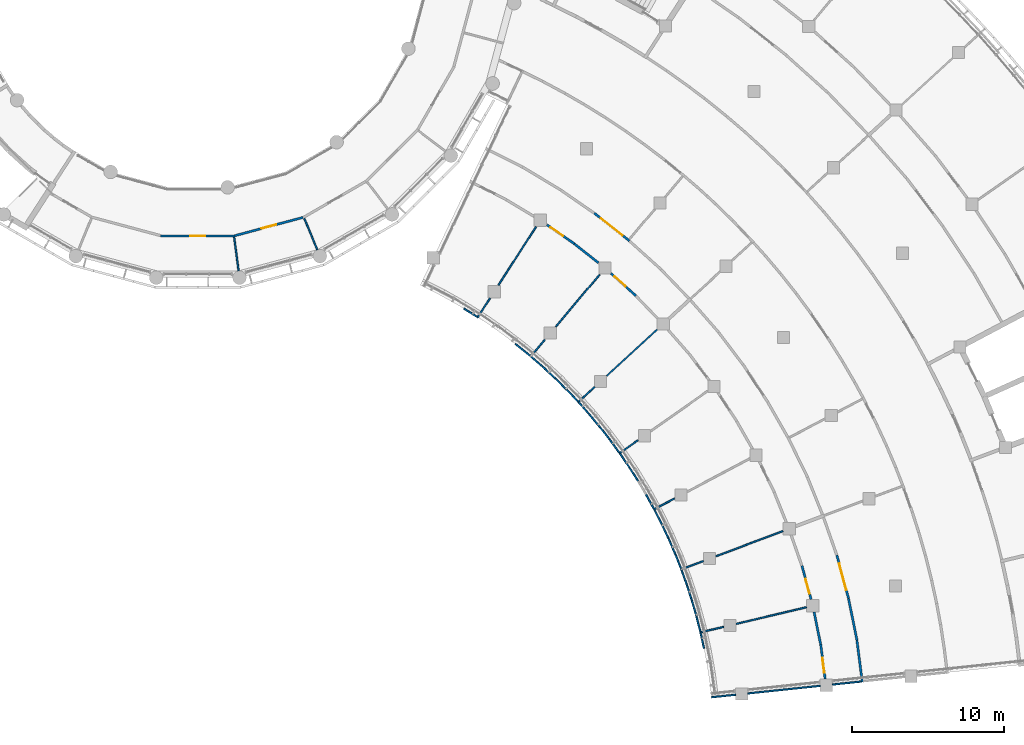
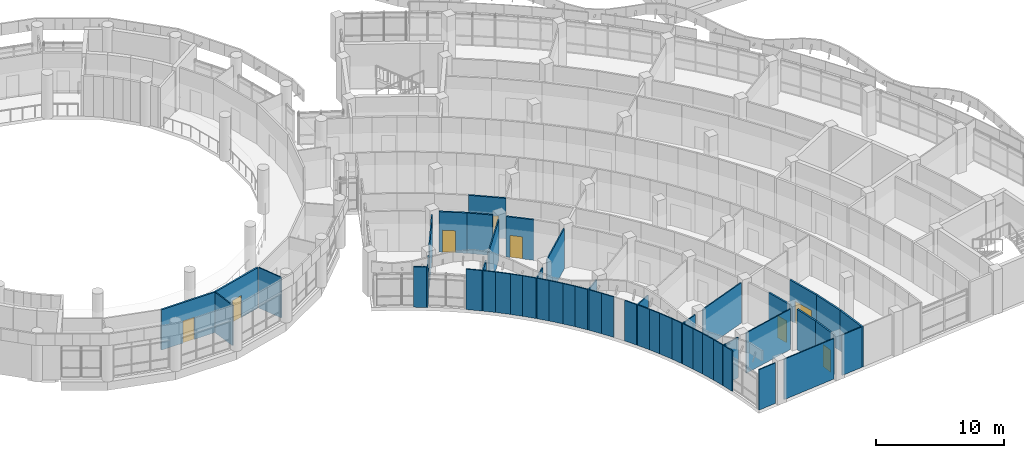
# One storey, part 47 of 109: 51 walls, 8 doors, 8 openings.
"""IFC4 building model written with IfcOpenShell, lengths in metres."""

from ifc_helpers import new_model, si_unit, direction, frame, frame_2d, origin, place, context, subcontext, project, spatial, rectangle, extrude, material, layer, layer_set, type_object, element, fill, save


model = new_model("IFC4")

# Units and contexts
model_context = context("Model", 3, precision=1e-05, world=origin(), true_north=direction((0.0, 1.0)))
body_context = subcontext(model_context, "Body", "Model", "MODEL_VIEW")
ifc_project = project(units=[si_unit("LENGTHUNIT", "METRE"), si_unit("AREAUNIT", "SQUARE_METRE"), si_unit("VOLUMEUNIT", "CUBIC_METRE"), si_unit("PLANEANGLEUNIT", "RADIAN"), si_unit("MASSUNIT", "GRAM", prefix="KILO")], contexts=[model_context])

# Site, building, storey
site_placement = place(None, origin())
site = spatial("IfcSite", under=ifc_project, at=site_placement, CompositionType="ELEMENT")
building_placement = place(site_placement, origin())
building = spatial("IfcBuilding", under=site, at=building_placement, Name="Bougainvillea Quay General Hospital", CompositionType="ELEMENT")
storey_placement = place(building_placement, frame((0.0, 0.0, 12.60009765625)))
storey = spatial("IfcBuildingStorey", under=building, at=storey_placement, Name="L02", CompositionType="ELEMENT", Elevation=12.60009765625)

# Walls
ifc_material_1 = material(Name="Gypsum board partition on steel studs", Category="steel")
ifc_layer_1 = layer(ifc_material_1, 0.10009765625)
ifc_layer_set_1 = layer_set([ifc_layer_1], Name="Gypsum board partition on steel studs")
wall_type_1 = type_object("IfcWallType", Name="Partition 100 Gypsum board partition EI 30", PredefinedType="PARTITIONING", material=ifc_layer_set_1)
wall_1_placement = place(storey_placement, frame((131.078857421875, 47.959716796875, 0.0), z_axis=(0.0, 0.0, 1.0), x_axis=(0.644403525256, 0.764685619479, 0.0)))
element("IfcWall", 1, at=wall_1_placement, inside=storey, type_object=wall_type_1, Name="Partition 100 mm EI 30", PredefinedType="PARTITIONING", context=body_context, shape_type="SweptSolid", body=[
    extrude(rectangle(XDim=1.48779296875, YDim=0.10009765625, at=frame_2d((0.743896484375, 0.0))), origin(), (0.0, 0.0, 1.0), 3.849853515625),
])
wall_2_placement = place(storey_placement, frame((132.762451171875, 49.957763671875, 0.0), z_axis=(0.0, 0.0, 1.0), x_axis=(0.644429680937, 0.76466357722, 0.0)))
element("IfcWall", 2, at=wall_2_placement, inside=storey, type_object=wall_type_1, Name="Partition 100 mm EI 30", PredefinedType="PARTITIONING", context=body_context, shape_type="SweptSolid", body=[
    extrude(rectangle(XDim=4.475341796875, YDim=0.10009765625, at=frame_2d((2.23779296875, 0.0))), origin(), (0.0, 0.0, 1.0), 3.849853515625),
])
wall_3_placement = place(storey_placement, frame((127.596923828125, 50.532958984375, 0.0), z_axis=(0.0, 0.0, 1.0), x_axis=(0.541741092646, 0.840545411348, 0.0)))
element("IfcWall", 3, at=wall_3_placement, inside=storey, type_object=wall_type_1, Name="Partition 100 mm EI 30", PredefinedType="PARTITIONING", context=body_context, shape_type="SweptSolid", body=[
    extrude(rectangle(XDim=1.542724609375, YDim=0.10009765625, at=frame_2d((0.771484375, 0.0))), origin(), (0.0, 0.0, 1.0), 3.849853515625),
])
wall_4_placement = place(storey_placement, frame((128.982666015625, 52.6826171875, 0.0), z_axis=(0.0, 0.0, 1.0), x_axis=(0.541806664818, 0.840503145716, 0.0)))
element("IfcWall", 4, at=wall_4_placement, inside=storey, type_object=wall_type_1, Name="Partition 100 mm EI 30", PredefinedType="PARTITIONING", context=body_context, shape_type="SweptSolid", body=[
    extrude(rectangle(XDim=4.58544921875, YDim=0.10009765625, at=frame_2d((2.292724609375, 0.0))), origin(), (0.0, 0.0, 1.0), 3.849853515625),
])
wall_5_placement = place(storey_placement, frame((142.2373046875, 29.819580078125, 0.0), z_axis=(0.0, 0.0, 1.0), x_axis=(0.973152848226, 0.230159800984, 0.0)))
element("IfcWall", 5, at=wall_5_placement, inside=storey, type_object=wall_type_1, Name="Partition 100 mm EI 30", PredefinedType="PARTITIONING", context=body_context, shape_type="SweptSolid", body=[
    extrude(rectangle(XDim=1.627197265625, YDim=0.10009765625, at=frame_2d((0.8134765625, 0.0))), origin(), (0.0, 0.0, 1.0), 3.849853515625),
])
wall_6_placement = place(storey_placement, frame((144.643310546875, 30.388916015625, 0.0), z_axis=(0.0, 0.0, 1.0), x_axis=(0.973139038387, 0.230218183398, 0.0)))
element("IfcWall", 6, at=wall_6_placement, inside=storey, type_object=wall_type_1, Name="Partition 100 mm EI 30", PredefinedType="PARTITIONING", context=body_context, shape_type="SweptSolid", body=[
    extrude(rectangle(XDim=4.755126953125, YDim=0.10009765625, at=frame_2d((2.37744140625, 0.0))), origin(), (0.0, 0.0, 1.0), 3.849853515625),
])
wall_7_placement = place(storey_placement, frame((139.19287109375, 37.90771484375, 0.0), z_axis=(0.0, 0.0, 1.0), x_axis=(0.883481589726, 0.468465879884, 0.0)))
element("IfcWall", 7, at=wall_7_placement, inside=storey, type_object=wall_type_1, Name="Partition 100 mm EI 30", PredefinedType="PARTITIONING", context=body_context, shape_type="SweptSolid", body=[
    extrude(rectangle(XDim=1.5712890625, YDim=0.10009765625, at=frame_2d((0.78564453125, 0.0))), origin(), (0.0, 0.0, 1.0), 3.849853515625),
])
wall_8_placement = place(storey_placement, frame((136.92431640625, 41.59521484375, 0.0), z_axis=(0.0, 0.0, 1.0), x_axis=(0.816643847366, 0.577141946629, 0.0)))
element("IfcWall", 8, at=wall_8_placement, inside=storey, type_object=wall_type_1, Name="Partition 100 mm EI 30", PredefinedType="PARTITIONING", context=body_context, shape_type="SweptSolid", body=[
    extrude(rectangle(XDim=1.52490234375, YDim=0.10009765625, at=frame_2d((0.762451171875, 0.0))), origin(), (0.0, 0.0, 1.0), 3.849853515625),
])
wall_9_placement = place(storey_placement, frame((143.012939453125, 25.555908203125, 0.0), z_axis=(0.0, 0.0, 1.0), x_axis=(0.994495375694, 0.104780473964, 0.0)))
element("IfcWall", 9, at=wall_9_placement, inside=storey, type_object=wall_type_1, Name="Partition 100 mm EI 30", PredefinedType="PARTITIONING", context=body_context, shape_type="SweptSolid", body=[
    extrude(rectangle(XDim=1.59375, YDim=0.10009765625, at=frame_2d((0.796875, 0.0))), origin(), (0.0, 0.0, 1.0), 3.849853515625),
])
wall_10_placement = place(storey_placement, frame((145.408203125, 25.80810546875, 0.0), z_axis=(0.0, 0.0, 1.0), x_axis=(0.994509645665, 0.104644945786, 0.0)))
element("IfcWall", 10, at=wall_10_placement, inside=storey, type_object=wall_type_1, Name="Partition 100 mm EI 30", PredefinedType="PARTITIONING", context=body_context, shape_type="SweptSolid", body=[
    extrude(rectangle(XDim=4.78515625, YDim=0.10009765625, at=frame_2d((2.392578125, 0.0))), origin(), (0.0, 0.0, 1.0), 3.849853515625),
])
wall_11_placement = place(storey_placement, frame((140.97314453125, 33.96044921875, 0.0), z_axis=(0.0, 0.0, 1.0), x_axis=(0.935890679388, 0.35229055655, 0.0)))
element("IfcWall", 11, at=wall_11_placement, inside=storey, type_object=wall_type_1, Name="Partition 100 mm EI 30", PredefinedType="PARTITIONING", context=body_context, shape_type="SweptSolid", body=[
    extrude(rectangle(XDim=1.604248046875, YDim=0.10009765625, at=frame_2d((0.80224609375, 0.0))), origin(), (0.0, 0.0, 1.0), 3.849853515625),
])
wall_12_placement = place(storey_placement, frame((143.309326171875, 34.839599609375, 0.0), z_axis=(0.0, 0.0, 1.0), x_axis=(0.935891610639, 0.352288082591, 0.0)))
element("IfcWall", 12, at=wall_12_placement, inside=storey, type_object=wall_type_1, Name="Partition 100 mm EI 30", PredefinedType="PARTITIONING", context=body_context, shape_type="SweptSolid", body=[
    extrude(rectangle(XDim=4.708251953125, YDim=0.10009765625, at=frame_2d((2.35400390625, 0.0))), origin(), (0.0, 0.0, 1.0), 3.849853515625),
])
wall_13_placement = place(storey_placement, frame((134.205078125, 44.964111328125, 0.0), z_axis=(0.0, 0.0, 1.0), x_axis=(0.736497059378, 0.676440745023, 0.0)))
element("IfcWall", 13, at=wall_13_placement, inside=storey, type_object=wall_type_1, Name="Partition 100 mm EI 30", PredefinedType="PARTITIONING", context=body_context, shape_type="SweptSolid", body=[
    extrude(rectangle(XDim=1.51220703125, YDim=0.10009765625, at=frame_2d((0.756103515625, 0.0))), origin(), (0.0, 0.0, 1.0), 3.849853515625),
])
wall_14_placement = place(storey_placement, frame((136.111328125, 46.71484375, 0.0), z_axis=(0.0, 0.0, 1.0), x_axis=(0.736475017651, 0.676464742892, 0.0)))
element("IfcWall", 14, at=wall_14_placement, inside=storey, type_object=wall_type_1, Name="Partition 100 mm EI 30", PredefinedType="PARTITIONING", context=body_context, shape_type="SweptSolid", body=[
    extrude(rectangle(XDim=4.52392578125, YDim=0.10009765625, at=frame_2d((2.261962890625, 0.0))), origin(), (0.0, 0.0, 1.0), 3.849853515625),
])
for number, where, z_axis, x_axis, name in (
    (15, (116.206298828125, 57.084228515625, 0.0), (0.0, 0.0, 1.0), (0.382829249812, -0.923819119465, 0.0), "Partition 100 mm EI 30"),
    (16, (111.589599609375, 55.8466796875, 0.0), (0.0, 0.0, 1.0), (0.13062345865, -0.991432051151, 0.0), "Partition 100 mm EI 30"),
):
    element("IfcWall", number, at=place(storey_placement, frame(where, z_axis=z_axis, x_axis=x_axis)), inside=storey, type_object=wall_type_1, Name=name, PredefinedType="PARTITIONING", context=body_context, shape_type="SweptSolid", body=[
        extrude(rectangle(XDim=2.242919921875, YDim=0.10009765625, at=frame_2d((1.12158203125, 0.0))), origin(), (0.0, 0.0, 1.0), 3.849853515625),
    ])
wall_15_placement = place(storey_placement, frame((150.97705078125, 26.39404296875, 0.0), z_axis=(0.0, 0.0, 1.0), x_axis=(0.99450757419, 0.104664630505, 0.0)))
element("IfcWall", 17, at=wall_15_placement, inside=storey, type_object=wall_type_1, Name="Partition 100 mm EI 30", PredefinedType="PARTITIONING", context=body_context, shape_type="SweptSolid", body=[
    extrude(rectangle(XDim=1.891845703125, YDim=0.10009765625, at=frame_2d((0.94580078125, 0.0))), origin(), (0.0, 0.0, 1.0), 3.849853515625),
])
wall_16_placement = place(storey_placement, frame((130.090087890625, 48.825927734375, 0.0), z_axis=(0.0, 0.0, 1.0), x_axis=(0.776627985422, -0.629959500492, 0.0)))
element("IfcWall", 18, at=wall_16_placement, inside=storey, type_object=wall_type_1, Name="Partition 100 mm EI 30", PredefinedType="PARTITIONING", context=body_context, shape_type="SweptSolid", body=[
    extrude(rectangle(XDim=1.263427734375, YDim=0.10009765625, at=frame_2d((0.6318359375, 0.0))), origin(), (0.0, 0.0, 1.0), 3.849853515625),
])
wall_17_placement = place(storey_placement, frame((139.260009765625, 37.8857421875, 0.0), z_axis=(0.0, 0.0, 1.0), x_axis=(0.454222477174, -0.890888287738, 0.0)))
element("IfcWall", 19, at=wall_17_placement, inside=storey, type_object=wall_type_1, Name="Partition 100 mm EI 30", PredefinedType="PARTITIONING", context=body_context, shape_type="SweptSolid", body=[
    extrude(rectangle(XDim=1.084716796875, YDim=0.10009765625, at=frame_2d((0.54248046875, 0.0))), origin(), (0.0, 0.0, 1.0), 3.849853515625),
])
wall_18_placement = place(storey_placement, frame((141.705078125, 31.97314453125, 0.0), z_axis=(0.0, 0.0, 1.0), x_axis=(0.276407300439, -0.961040584088, 0.0)))
element("IfcWall", 20, at=wall_18_placement, inside=storey, type_object=wall_type_1, Name="Partition 100 mm EI 30", PredefinedType="PARTITIONING", context=body_context, shape_type="SweptSolid", body=[
    extrude(rectangle(XDim=1.185302734375, YDim=0.10009765625, at=frame_2d((0.5927734375, 0.0))), origin(), (0.0, 0.0, 1.0), 3.849853515625),
])
wall_19_placement = place(storey_placement, frame((126.702880859375, 51.14892578125, 0.0), z_axis=(0.0, 0.0, 1.0), x_axis=(0.848687049906, -0.528895350067, 0.0)))
element("IfcWall", 21, at=wall_19_placement, inside=storey, type_object=wall_type_1, Name="Partition 100 mm EI 30", PredefinedType="PARTITIONING", context=body_context, shape_type="SweptSolid", body=[
    extrude(rectangle(XDim=1.034423828125, YDim=0.10009765625, at=frame_2d((0.51708984375, 0.0))), origin(), (0.0, 0.0, 1.0), 3.849853515625),
])
for number, where, z_axis, x_axis, name in (
    (22, (133.460693359375, 45.8212890625, 0.0), (0.0, 0.0, 1.0), (0.688400207225, -0.725331065578, 0.0), "Partition 100 mm EI 30"),
    (23, (136.99365234375, 41.58203125, 0.0), (0.0, 0.0, 1.0), (0.564070256428, -0.825726798532, 0.0), "Partition 100 mm EI 30"),
):
    element("IfcWall", number, at=place(storey_placement, frame(where, z_axis=z_axis, x_axis=x_axis)), inside=storey, type_object=wall_type_1, Name=name, PredefinedType="PARTITIONING", context=body_context, shape_type="SweptSolid", body=[
        extrude(rectangle(XDim=1.084228515625, YDim=0.10009765625, at=frame_2d((0.5419921875, 0.0))), origin(), (0.0, 0.0, 1.0), 3.849853515625),
    ])
wall_20_placement = place(storey_placement, frame((134.930908203125, 44.226318359375, 0.0), z_axis=(0.0, 0.0, 1.0), x_axis=(0.639778970268, -0.768558956231, 0.0)))
element("IfcWall", 24, at=wall_20_placement, inside=storey, type_object=wall_type_1, Name="Partition 100 mm EI 30", PredefinedType="PARTITIONING", context=body_context, shape_type="SweptSolid", body=[
    extrude(rectangle(XDim=1.184814453125, YDim=0.10009765625, at=frame_2d((0.59228515625, 0.0))), origin(), (0.0, 0.0, 1.0), 3.849853515625),
])
wall_21_placement = place(storey_placement, frame((137.60302734375, 40.68701171875, 0.0), z_axis=(0.0, 0.0, 1.0), x_axis=(0.53747146193, -0.843281938388, 0.0)))
element("IfcWall", 25, at=wall_21_placement, inside=storey, type_object=wall_type_1, Name="Partition 100 mm EI 30", PredefinedType="PARTITIONING", context=body_context, shape_type="SweptSolid", body=[
    extrude(rectangle(XDim=1.08642578125, YDim=0.10009765625, at=frame_2d((0.543212890625, 0.0))), origin(), (0.0, 0.0, 1.0), 3.849853515625),
])
for number, where, z_axis, x_axis, name in (
    (26, (138.68896484375, 38.9248046875, 0.0), (0.0, 0.0, 1.0), (0.482886802116, -0.875682782942, 0.0), "Partition 100 mm EI 30"),
    (27, (136.29541015625, 42.540283203125, 0.0), (0.0, 0.0, 1.0), (0.590044821415, -0.807370490371, 0.0), "Partition 100 mm EI 30"),
):
    element("IfcWall", number, at=place(storey_placement, frame(where, z_axis=z_axis, x_axis=x_axis)), inside=storey, type_object=wall_type_1, Name=name, PredefinedType="PARTITIONING", context=body_context, shape_type="SweptSolid", body=[
        extrude(rectangle(XDim=1.083984375, YDim=0.10009765625, at=frame_2d((0.5419921875, 0.0))), origin(), (0.0, 0.0, 1.0), 3.849853515625),
    ])
for number, where, z_axis, x_axis, name in (
    (28, (140.172119140625, 36.02880859375, 0.0), (0.0, 0.0, 1.0), (0.396479436871, -0.918043602526, 0.0), "Partition 100 mm EI 30"),
    (29, (131.892333984375, 47.320068359375, 0.0), (0.0, 0.0, 1.0), (0.732793491626, -0.680451099367, 0.0), "Partition 100 mm EI 30"),
):
    element("IfcWall", number, at=place(storey_placement, frame(where, z_axis=z_axis, x_axis=x_axis)), inside=storey, type_object=wall_type_1, Name=name, PredefinedType="PARTITIONING", context=body_context, shape_type="SweptSolid", body=[
        extrude(rectangle(XDim=1.184814453125, YDim=0.10009765625, at=frame_2d((0.59228515625, 0.0))), origin(), (0.0, 0.0, 1.0), 3.849853515625),
    ])
wall_22_placement = place(storey_placement, frame((132.75830078125, 46.513916015625, 0.0), z_axis=(0.0, 0.0, 1.0), x_axis=(0.710804317615, -0.703389808043, 0.0)))
element("IfcWall", 30, at=wall_22_placement, inside=storey, type_object=wall_type_1, Name="Partition 100 mm EI 30", PredefinedType="PARTITIONING", context=body_context, shape_type="SweptSolid", body=[
    extrude(rectangle(XDim=0.98779296875, YDim=0.10009765625, at=frame_2d((0.493896484375, 0.0))), origin(), (0.0, 0.0, 1.0), 3.849853515625),
])
wall_23_placement = place(storey_placement, frame((140.639892578125, 34.94189453125, 0.0), z_axis=(0.0, 0.0, 1.0), x_axis=(0.366901413892, -0.93025983063, 0.0)))
element("IfcWall", 31, at=wall_23_placement, inside=storey, type_object=wall_type_1, Name="Partition 100 mm EI 30", PredefinedType="PARTITIONING", context=body_context, shape_type="SweptSolid", body=[
    extrude(rectangle(XDim=0.985595703125, YDim=0.10009765625, at=frame_2d((0.49267578125, 0.0))), origin(), (0.0, 0.0, 1.0), 3.849853515625),
])
wall_24_placement = place(storey_placement, frame((141.037109375, 33.93017578125, 0.0), z_axis=(0.0, 0.0, 1.0), x_axis=(0.337434932816, -0.941348854631, 0.0)))
element("IfcWall", 32, at=wall_24_placement, inside=storey, type_object=wall_type_1, Name="Partition 100 mm EI 30", PredefinedType="PARTITIONING", context=body_context, shape_type="SweptSolid", body=[
    extrude(rectangle(XDim=1.083740234375, YDim=0.10009765625, at=frame_2d((0.5419921875, 0.0))), origin(), (0.0, 0.0, 1.0), 3.849853515625),
])
wall_25_placement = place(storey_placement, frame((131.1494140625, 47.964599609375, 0.0), z_axis=(0.0, 0.0, 1.0), x_axis=(0.75424788942, -0.656589766373, 0.0)))
element("IfcWall", 33, at=wall_25_placement, inside=storey, type_object=wall_type_1, Name="Partition 100 mm EI 30", PredefinedType="PARTITIONING", context=body_context, shape_type="SweptSolid", body=[
    extrude(rectangle(XDim=0.98486328125, YDim=0.10009765625, at=frame_2d((0.492431640625, 0.0))), origin(), (0.0, 0.0, 1.0), 3.849853515625),
])
wall_26_placement = place(storey_placement, frame((134.27587890625, 44.960205078125, 0.0), z_axis=(0.0, 0.0, 1.0), x_axis=(0.66477897218, -0.747040104779, 0.0)))
element("IfcWall", 34, at=wall_26_placement, inside=storey, type_object=wall_type_1, Name="Partition 100 mm EI 30", PredefinedType="PARTITIONING", context=body_context, shape_type="SweptSolid", body=[
    extrude(rectangle(XDim=0.9853515625, YDim=0.10009765625, at=frame_2d((0.49267578125, 0.0))), origin(), (0.0, 0.0, 1.0), 3.849853515625),
])
wall_27_placement = place(storey_placement, frame((141.40087890625, 32.910888671875, 0.0), z_axis=(0.0, 0.0, 1.0), x_axis=(0.307089469025, -0.951680649175, 0.0)))
element("IfcWall", 35, at=wall_27_placement, inside=storey, type_object=wall_type_1, Name="Partition 100 mm EI 30", PredefinedType="PARTITIONING", context=body_context, shape_type="SweptSolid", body=[
    extrude(rectangle(XDim=0.9873046875, YDim=0.10009765625, at=frame_2d((0.49365234375, 0.0))), origin(), (0.0, 0.0, 1.0), 3.849853515625),
])
wall_28_placement = place(storey_placement, frame((142.031005859375, 30.8349609375, 0.0), z_axis=(0.0, 0.0, 1.0), x_axis=(0.246091023995, -0.969246721898, 0.0)))
element("IfcWall", 36, at=wall_28_placement, inside=storey, type_object=wall_type_1, Name="Partition 100 mm EI 30", PredefinedType="PARTITIONING", context=body_context, shape_type="SweptSolid", body=[
    extrude(rectangle(XDim=0.985107421875, YDim=0.10009765625, at=frame_2d((0.49267578125, 0.0))), origin(), (0.0, 0.0, 1.0), 3.849853515625),
])
wall_29_placement = place(storey_placement, frame((139.750732421875, 36.920166015625, 0.0), z_axis=(0.0, 0.0, 1.0), x_axis=(0.426023266387, -0.904712206448, 0.0)))
element("IfcWall", 37, at=wall_29_placement, inside=storey, type_object=wall_type_1, Name="Partition 100 mm EI 30", PredefinedType="PARTITIONING", context=body_context, shape_type="SweptSolid", body=[
    extrude(rectangle(XDim=0.9873046875, YDim=0.10009765625, at=frame_2d((0.49365234375, 0.0))), origin(), (0.0, 0.0, 1.0), 3.849853515625),
])
wall_30_placement = place(storey_placement, frame((142.296875, 29.781494140625, 0.0), z_axis=(0.0, 0.0, 1.0), x_axis=(0.214929366895, -0.976629595725, 0.0)))
element("IfcWall", 38, at=wall_30_placement, inside=storey, type_object=wall_type_1, Name="Partition 100 mm EI 30", PredefinedType="PARTITIONING", context=body_context, shape_type="SweptSolid", body=[
    extrude(rectangle(XDim=1.03369140625, YDim=0.10009765625, at=frame_2d((0.516845703125, 0.0))), origin(), (0.0, 0.0, 1.0), 3.849853515625),
])
wall_31_placement = place(storey_placement, frame((135.68701171875, 43.31591796875, 0.0), z_axis=(0.0, 0.0, 1.0), x_axis=(0.615941497949, -0.787791895811, 0.0)))
element("IfcWall", 39, at=wall_31_placement, inside=storey, type_object=wall_type_1, Name="Partition 100 mm EI 30", PredefinedType="PARTITIONING", context=body_context, shape_type="SweptSolid", body=[
    extrude(rectangle(XDim=0.9873046875, YDim=0.10009765625, at=frame_2d((0.49365234375, 0.0))), origin(), (0.0, 0.0, 1.0), 3.849853515625),
])

# Wall, opening, door
ifc_material_2 = material(Name="Gypsum board partition on steel studs, insulated", Category="steel")
ifc_layer_2 = layer(ifc_material_2, 0.14990234375)
ifc_layer_set_2 = layer_set([ifc_layer_2], Name="Gypsum board partition on steel studs, insulated")
wall_type_2 = type_object("IfcWallType", Name="Partition 150 Gypsum board partition EI 30", PredefinedType="PARTITIONING", material=ifc_layer_set_2)
wall_32_placement = place(storey_placement, frame((106.7451171875, 55.927978515625, 0.0), z_axis=(0.0, 0.0, 1.0), x_axis=(1.0, 0.0, 0.0)))
wall_32 = element("IfcWall", 40, at=wall_32_placement, inside=storey, type_object=wall_type_2, Name="Partition 150 mm EI 30", PredefinedType="PARTITIONING", context=body_context, shape_type="SweptSolid", body=[
    extrude(rectangle(XDim=4.908935546875, YDim=0.14990234375, at=frame_2d((2.45458984375, 0.0))), origin(), (0.0, 0.0, 1.0), 3.849853515625),
])
opening_1_placement = place(wall_32_placement, frame((1.95458984375, 0.0, 0.0)))
opening_1 = element("IfcOpeningElement", 41, at=opening_1_placement, cuts=wall_32, Name="Opening L02.245", PredefinedType="OPENING", context=body_context, shape_type="SweptSolid", body=[
    extrude(rectangle(XDim=1.0, YDim=2.10009765625, at=frame_2d((0.5, 1.050048828125))), frame((0.0, 0.0849609375, 0.0), z_axis=(0.0, -1.0, 0.0), x_axis=(1.0, 0.0, 0.0)), (0.0, 0.0, 1.0), 0.169921875),
])
ifc_material_3 = material(Name="Solid-core timber door leaf in steel frame", Category="steel")
door_type_1 = type_object("IfcDoorType", Name="Single leaf door 1000x2100 FD30S", OperationType="NOTDEFINED", PredefinedType="DOOR", material=ifc_material_3)
door_1_placement = place(opening_1_placement, frame((1.0, 0.0, 0.0), z_axis=(0.0, 0.0, 1.0), x_axis=(-1.0, 0.0, 0.0)))
door_1 = element("IfcDoor", 42, at=door_1_placement, inside=storey, type_object=door_type_1, Name="DT15 L02.245", OperationType="SINGLE_SWING_RIGHT", OverallHeight=2.10009765625, OverallWidth=1.0, PredefinedType="DOOR", context=body_context, shape_type="SweptSolid", body=[
    extrude(rectangle(XDim=1.0, YDim=2.10009765625, at=frame_2d((0.5, 1.050048828125))), frame((0.0, 0.02490234375, 0.0), z_axis=(0.0, -1.0, 0.0), x_axis=(1.0, 0.0, 0.0)), (0.0, 0.0, 1.0), 0.050048828125),
])
fill(opening_1, door_1)

wall_33_placement = place(storey_placement, frame((111.635009765625, 55.943115234375, 0.0), z_axis=(0.0, 0.0, 1.0), x_axis=(0.965901562331, 0.258909582454, 0.0)))
wall_33 = element("IfcWall", 43, at=wall_33_placement, inside=storey, type_object=wall_type_2, Name="Partition 150 mm EI 30", PredefinedType="PARTITIONING", context=body_context, shape_type="SweptSolid", body=[
    extrude(rectangle(XDim=4.64208984375, YDim=0.14990234375, at=frame_2d((2.321044921875, 0.0))), origin(), (0.0, 0.0, 1.0), 3.849853515625),
])
opening_2_placement = place(wall_33_placement, frame((1.8212890625, 0.0, 0.0)))
opening_2 = element("IfcOpeningElement", 44, at=opening_2_placement, cuts=wall_33, Name="Opening L02.246", PredefinedType="OPENING", context=body_context, shape_type="SweptSolid", body=[
    extrude(rectangle(XDim=1.0, YDim=2.10009765625, at=frame_2d((0.5, 1.050048828125))), frame((0.0, 0.0849609375, 0.0), z_axis=(0.0, -1.0, 0.0), x_axis=(1.0, 0.0, 0.0)), (0.0, 0.0, 1.0), 0.169921875),
])
door_2_placement = place(opening_2_placement, frame((1.0, 0.0, 0.0), z_axis=(0.0, 0.0, 1.0), x_axis=(-1.0, 0.0, 0.0)))
door_2 = element("IfcDoor", 45, at=door_2_placement, inside=storey, type_object=door_type_1, Name="DT15 L02.246", OperationType="SINGLE_SWING_LEFT", OverallHeight=2.10009765625, OverallWidth=1.0, PredefinedType="DOOR", context=body_context, shape_type="SweptSolid", body=[
    extrude(rectangle(XDim=1.0, YDim=2.10009765625, at=frame_2d((0.5, 1.050048828125))), frame((0.0, 0.02490234375, 0.0), z_axis=(0.0, -1.0, 0.0), x_axis=(1.0, 0.0, 0.0)), (0.0, 0.0, 1.0), 0.050048828125),
])
fill(opening_2, door_2)

wall_34_placement = place(storey_placement, frame((135.293212890625, 57.430419921875, 0.0), z_axis=(0.0, 0.0, 1.0), x_axis=(0.785039104315, -0.619446208073, 0.0)))
wall_34 = element("IfcWall", 46, at=wall_34_placement, inside=storey, type_object=wall_type_2, Name="Partition 150 mm EI 30", PredefinedType="PARTITIONING", context=body_context, shape_type="SweptSolid", body=[
    extrude(rectangle(XDim=2.95751953125, YDim=0.14990234375, at=frame_2d((1.478759765625, 0.0))), origin(), (0.0, 0.0, 1.0), 3.849853515625),
])
opening_3_placement = place(wall_34_placement, frame((0.57861328125, 0.0, 0.0)))
opening_3 = element("IfcOpeningElement", 47, at=opening_3_placement, cuts=wall_34, Name="Opening L02.184", PredefinedType="OPENING", context=body_context, shape_type="SweptSolid", body=[
    extrude(rectangle(XDim=1.800048828125, YDim=2.10009765625, at=frame_2d((0.89990234375, 1.050048828125))), frame((0.0, 0.0849609375, 0.0), z_axis=(0.0, -1.0, 0.0), x_axis=(1.0, 0.0, 0.0)), (0.0, 0.0, 1.0), 0.169921875),
])
ifc_material_4 = material(Name="Solid-core timber door leaves in steel frame", Category="steel")
door_type_2 = type_object("IfcDoorType", Name="Double leaf door 1800x2100", OperationType="DOUBLE_DOOR_SINGLE_SWING", PredefinedType="DOOR", material=ifc_material_4)
door_3_placement = place(opening_3_placement, frame((1.800048828125, 0.0, 0.0), z_axis=(0.0, 0.0, 1.0), x_axis=(-1.0, 0.0, 0.0)))
door_3 = element("IfcDoor", 48, at=door_3_placement, inside=storey, type_object=door_type_2, Name="DT08 L02.184", OperationType="DOUBLE_DOOR_SINGLE_SWING", OverallHeight=2.10009765625, OverallWidth=1.800048828125, PredefinedType="DOOR", context=body_context, shape_type="SweptSolid", body=[
    extrude(rectangle(XDim=1.800048828125, YDim=2.10009765625, at=frame_2d((0.89990234375, 1.050048828125))), frame((0.0, 0.02490234375, 0.0), z_axis=(0.0, -1.0, 0.0), x_axis=(1.0, 0.0, 0.0)), (0.0, 0.0, 1.0), 0.050048828125),
])
fill(opening_3, door_3)

wall_35_placement = place(storey_placement, frame((151.264404296875, 34.91650390625, 0.0), z_axis=(0.0, 0.0, 1.0), x_axis=(0.261098222271, -0.965312238774, 0.0)))
wall_35 = element("IfcWall", 49, at=wall_35_placement, inside=storey, type_object=wall_type_2, Name="Partition 150 mm EI 30", PredefinedType="PARTITIONING", context=body_context, shape_type="SweptSolid", body=[
    extrude(rectangle(XDim=2.95751953125, YDim=0.14990234375, at=frame_2d((1.478759765625, 0.0))), origin(), (0.0, 0.0, 1.0), 3.849853515625),
])
opening_4_placement = place(wall_35_placement, frame((0.57861328125, 0.0, 0.0)))
opening_4 = element("IfcOpeningElement", 50, at=opening_4_placement, cuts=wall_35, Name="Opening L02.186", PredefinedType="OPENING", context=body_context, shape_type="SweptSolid", body=[
    extrude(rectangle(XDim=1.800048828125, YDim=2.10009765625, at=frame_2d((0.89990234375, 1.050048828125))), frame((0.0, 0.0849609375, 0.0), z_axis=(0.0, -1.0, 0.0), x_axis=(1.0, 0.0, 0.0)), (0.0, 0.0, 1.0), 0.169921875),
])
door_4_placement = place(opening_4_placement, frame((1.800048828125, 0.0, 0.0), z_axis=(0.0, 0.0, 1.0), x_axis=(-1.0, 0.0, 0.0)))
door_4 = element("IfcDoor", 51, at=door_4_placement, inside=storey, type_object=door_type_2, Name="DT08 L02.186", OperationType="DOUBLE_DOOR_SINGLE_SWING", OverallHeight=2.10009765625, OverallWidth=1.800048828125, PredefinedType="DOOR", context=body_context, shape_type="SweptSolid", body=[
    extrude(rectangle(XDim=1.800048828125, YDim=2.10009765625, at=frame_2d((0.89990234375, 1.050048828125))), frame((0.0, 0.02490234375, 0.0), z_axis=(0.0, -1.0, 0.0), x_axis=(1.0, 0.0, 0.0)), (0.0, 0.0, 1.0), 0.050048828125),
])
fill(opening_4, door_4)

# Walls
wall_36_placement = place(storey_placement, frame((152.031005859375, 32.06494140625, 0.0), z_axis=(0.0, 0.0, 1.0), x_axis=(0.199104225367, -0.979978319883, 0.0)))
element("IfcWall", 52, at=wall_36_placement, inside=storey, type_object=wall_type_2, Name="Partition 150 mm EI 30", PredefinedType="PARTITIONING", context=body_context, shape_type="SweptSolid", body=[
    extrude(rectangle(XDim=2.811767578125, YDim=0.14990234375, at=frame_2d((1.40576171875, 0.0))), origin(), (0.0, 0.0, 1.0), 3.849853515625),
])
wall_37_placement = place(storey_placement, frame((152.5849609375, 29.313720703125, 0.0), z_axis=(0.0, 0.0, 1.0), x_axis=(0.127582082385, -0.991828015462, 0.0)))
element("IfcWall", 53, at=wall_37_placement, inside=storey, type_object=wall_type_2, Name="Partition 150 mm EI 30", PredefinedType="PARTITIONING", context=body_context, shape_type="SweptSolid", body=[
    extrude(rectangle(XDim=2.7861328125, YDim=0.14990234375, at=frame_2d((1.39306640625, 0.0))), origin(), (0.0, 0.0, 1.0), 3.849853515625),
])

# Wall, opening, door
wall_38_placement = place(storey_placement, frame((136.39306640625, 53.464599609375, 0.0), z_axis=(0.0, 0.0, 1.0), x_axis=(0.743617683722, -0.668605070618, 0.0)))
wall_38 = element("IfcWall", 54, at=wall_38_placement, inside=storey, type_object=wall_type_2, Name="Partition 150 mm EI 30", PredefinedType="PARTITIONING", context=body_context, shape_type="SweptSolid", body=[
    extrude(rectangle(XDim=2.213134765625, YDim=0.14990234375, at=frame_2d((1.1064453125, 0.0))), origin(), (0.0, 0.0, 1.0), 3.849853515625),
])
opening_5_placement = place(wall_38_placement, frame((0.310791015625, 0.0, 0.0)))
opening_5 = element("IfcOpeningElement", 55, at=opening_5_placement, cuts=wall_38, Name="Opening L02.229", PredefinedType="OPENING", context=body_context, shape_type="SweptSolid", body=[
    extrude(rectangle(XDim=1.0, YDim=2.10009765625, at=frame_2d((0.5, 1.050048828125))), frame((0.0, 0.0849609375, 0.0), z_axis=(0.0, -1.0, 0.0), x_axis=(1.0, 0.0, 0.0)), (0.0, 0.0, 1.0), 0.169921875),
])
door_5_placement = place(opening_5_placement, frame((1.0, 0.0, 0.0), z_axis=(0.0, 0.0, 1.0), x_axis=(-1.0, 0.0, 0.0)))
door_5 = element("IfcDoor", 56, at=door_5_placement, inside=storey, type_object=door_type_1, Name="DT15 L02.229", OperationType="SINGLE_SWING_RIGHT", OverallHeight=2.10009765625, OverallWidth=1.0, PredefinedType="DOOR", context=body_context, shape_type="SweptSolid", body=[
    extrude(rectangle(XDim=1.0, YDim=2.10009765625, at=frame_2d((0.5, 1.050048828125))), frame((0.0, 0.02490234375, 0.0), z_axis=(0.0, -1.0, 0.0), x_axis=(1.0, 0.0, 0.0)), (0.0, 0.0, 1.0), 0.050048828125),
])
fill(opening_5, door_5)

wall_39_placement = place(storey_placement, frame((132.183837890625, 56.65771484375, 0.0), z_axis=(0.0, 0.0, 1.0), x_axis=(0.82273696549, -0.568422277551, 0.0)))
wall_39 = element("IfcWall", 57, at=wall_39_placement, inside=storey, type_object=wall_type_2, Name="Partition 150 mm EI 30", PredefinedType="PARTITIONING", context=body_context, shape_type="SweptSolid", body=[
    extrude(rectangle(XDim=2.192626953125, YDim=0.14990234375, at=frame_2d((1.09619140625, 0.0))), origin(), (0.0, 0.0, 1.0), 3.849853515625),
])
opening_6_placement = place(wall_39_placement, frame((0.290283203125, 0.0, 0.0)))
opening_6 = element("IfcOpeningElement", 58, at=opening_6_placement, cuts=wall_39, Name="Opening L02.228", PredefinedType="OPENING", context=body_context, shape_type="SweptSolid", body=[
    extrude(rectangle(XDim=1.0, YDim=2.10009765625, at=frame_2d((0.5, 1.050048828125))), frame((0.0, 0.0849609375, 0.0), z_axis=(0.0, -1.0, 0.0), x_axis=(1.0, 0.0, 0.0)), (0.0, 0.0, 1.0), 0.169921875),
])
door_6_placement = place(opening_6_placement, frame((1.0, 0.0, 0.0), z_axis=(0.0, 0.0, 1.0), x_axis=(-1.0, 0.0, 0.0)))
door_6 = element("IfcDoor", 59, at=door_6_placement, inside=storey, type_object=door_type_1, Name="DT15 L02.228", OperationType="SINGLE_SWING_RIGHT", OverallHeight=2.10009765625, OverallWidth=1.0, PredefinedType="DOOR", context=body_context, shape_type="SweptSolid", body=[
    extrude(rectangle(XDim=1.0, YDim=2.10009765625, at=frame_2d((0.5, 1.050048828125))), frame((0.0, 0.02490234375, 0.0), z_axis=(0.0, -1.0, 0.0), x_axis=(1.0, 0.0, 0.0)), (0.0, 0.0, 1.0), 0.050048828125),
])
fill(opening_6, door_6)

wall_40_placement = place(storey_placement, frame((148.968505859375, 34.21533203125, 0.0), z_axis=(0.0, 0.0, 1.0), x_axis=(0.26138863195, -0.965233641709, 0.0)))
wall_40 = element("IfcWall", 60, at=wall_40_placement, inside=storey, type_object=wall_type_2, Name="Partition 150 mm EI 30", PredefinedType="PARTITIONING", context=body_context, shape_type="SweptSolid", body=[
    extrude(rectangle(XDim=2.294921875, YDim=0.14990234375, at=frame_2d((1.1474609375, 0.0))), origin(), (0.0, 0.0, 1.0), 3.849853515625),
])
opening_7_placement = place(wall_40_placement, frame((0.902099609375, 0.0, 0.0)))
opening_7 = element("IfcOpeningElement", 61, at=opening_7_placement, cuts=wall_40, Name="Opening L02.234", PredefinedType="OPENING", context=body_context, shape_type="SweptSolid", body=[
    extrude(rectangle(XDim=1.0, YDim=2.10009765625, at=frame_2d((0.5, 1.050048828125))), frame((0.0, 0.0849609375, 0.0), z_axis=(0.0, -1.0, 0.0), x_axis=(1.0, 0.0, 0.0)), (0.0, 0.0, 1.0), 0.169921875),
])
door_7_placement = place(opening_7_placement, frame((1.0, 0.0, 0.0), z_axis=(0.0, 0.0, 1.0), x_axis=(-1.0, 0.0, 0.0)))
door_7 = element("IfcDoor", 62, at=door_7_placement, inside=storey, type_object=door_type_1, Name="DT15 L02.234", OperationType="SINGLE_SWING_LEFT", OverallHeight=2.10009765625, OverallWidth=1.0, PredefinedType="DOOR", context=body_context, shape_type="SweptSolid", body=[
    extrude(rectangle(XDim=1.0, YDim=2.10009765625, at=frame_2d((0.5, 1.050048828125))), frame((0.0, 0.02490234375, 0.0), z_axis=(0.0, -1.0, 0.0), x_axis=(1.0, 0.0, 0.0)), (0.0, 0.0, 1.0), 0.050048828125),
])
fill(opening_7, door_7)

wall_41_placement = place(storey_placement, frame((150.200439453125, 29.055419921875, 0.0), z_axis=(0.0, 0.0, 1.0), x_axis=(0.127773812466, -0.991803333755, 0.0)))
wall_41 = element("IfcWall", 63, at=wall_41_placement, inside=storey, type_object=wall_type_2, Name="Partition 150 mm EI 30", PredefinedType="PARTITIONING", context=body_context, shape_type="SweptSolid", body=[
    extrude(rectangle(XDim=2.31396484375, YDim=0.14990234375, at=frame_2d((1.156982421875, 0.0))), origin(), (0.0, 0.0, 1.0), 3.849853515625),
])
opening_8_placement = place(wall_41_placement, frame((0.90185546875, 0.0, 0.0)))
opening_8 = element("IfcOpeningElement", 64, at=opening_8_placement, cuts=wall_41, Name="Opening L02.235", PredefinedType="OPENING", context=body_context, shape_type="SweptSolid", body=[
    extrude(rectangle(XDim=1.0, YDim=2.10009765625, at=frame_2d((0.5, 1.050048828125))), frame((0.0, 0.0849609375, 0.0), z_axis=(0.0, -1.0, 0.0), x_axis=(1.0, 0.0, 0.0)), (0.0, 0.0, 1.0), 0.169921875),
])
door_8_placement = place(opening_8_placement, frame((1.0, 0.0, 0.0), z_axis=(0.0, 0.0, 1.0), x_axis=(-1.0, 0.0, 0.0)))
door_8 = element("IfcDoor", 65, at=door_8_placement, inside=storey, type_object=door_type_1, Name="DT15 L02.235", OperationType="SINGLE_SWING_LEFT", OverallHeight=2.10009765625, OverallWidth=1.0, PredefinedType="DOOR", context=body_context, shape_type="SweptSolid", body=[
    extrude(rectangle(XDim=1.0, YDim=2.10009765625, at=frame_2d((0.5, 1.050048828125))), frame((0.0, 0.02490234375, 0.0), z_axis=(0.0, -1.0, 0.0), x_axis=(1.0, 0.0, 0.0)), (0.0, 0.0, 1.0), 0.050048828125),
])
fill(opening_8, door_8)

# Walls
wall_42_placement = place(storey_placement, frame((133.981201171875, 55.410400390625, 0.0), z_axis=(0.0, 0.0, 1.0), x_axis=(0.784968928218, -0.619535133574, 0.0)))
element("IfcWall", 66, at=wall_42_placement, inside=storey, type_object=wall_type_2, Name="Partition 150 mm EI 30", PredefinedType="PARTITIONING", context=body_context, shape_type="SweptSolid", body=[
    extrude(rectangle(XDim=2.03076171875, YDim=0.14990234375, at=frame_2d((1.015380859375, 0.0))), origin(), (0.0, 0.0, 1.0), 3.849853515625),
])
wall_43_placement = place(storey_placement, frame((149.76611328125, 31.16650390625, 0.0), z_axis=(0.0, 0.0, 1.0), x_axis=(0.199027700979, -0.97999386439, 0.0)))
element("IfcWall", 67, at=wall_43_placement, inside=storey, type_object=wall_type_2, Name="Partition 150 mm EI 30", PredefinedType="PARTITIONING", context=body_context, shape_type="SweptSolid", body=[
    extrude(rectangle(XDim=2.16015625, YDim=0.14990234375, at=frame_2d((1.080078125, 0.0))), origin(), (0.0, 0.0, 1.0), 3.849853515625),
])

save(model, "model.ifc")
